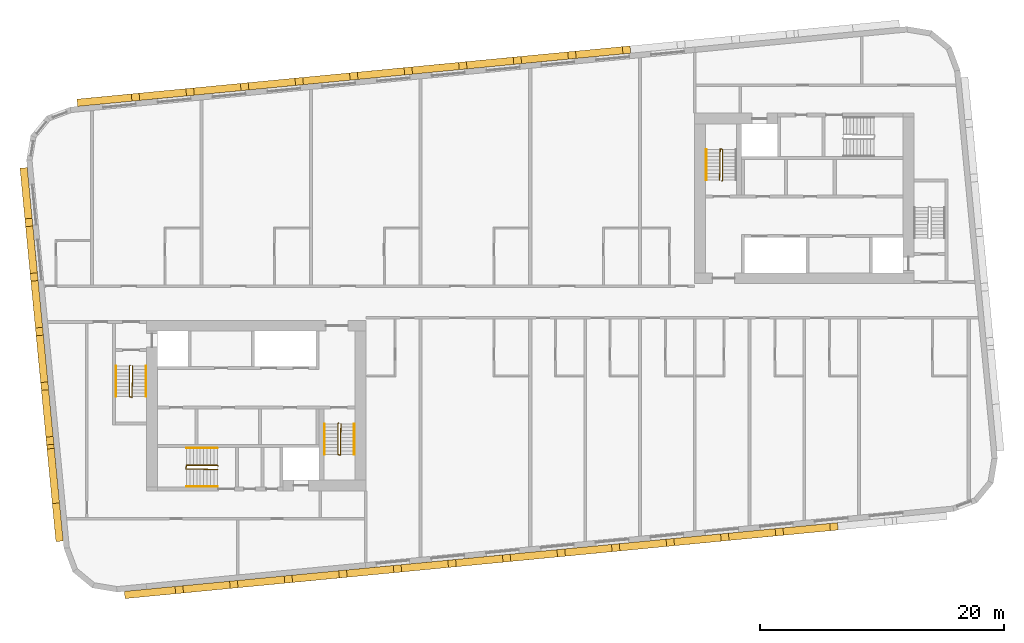
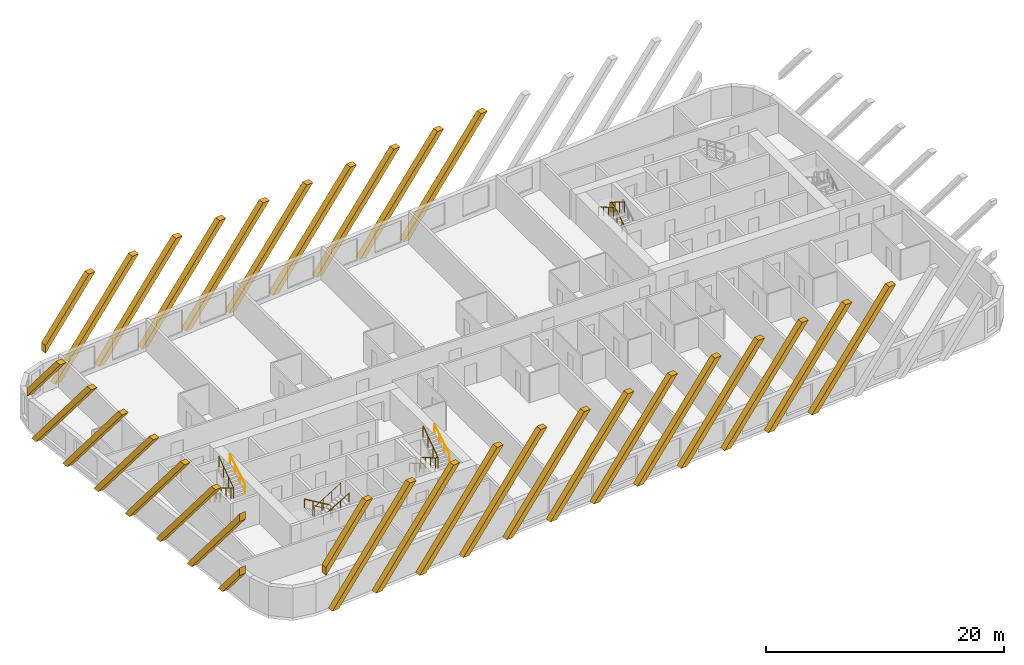
# One storey, part 11 of 12: 31 coverings, 11 railings.
"""IFC4 building model written with IfcOpenShell, lengths in metres."""

import ifcopenshell
import ifcopenshell.guid

model = None  # the IFC model being written
_history = None  # IfcOwnerHistory: only IFC2X3 demands one
_inside = {}  # id of a spatial element -> (the spatial element, [elements in it])
_under = {}  # id of a project, library or spatial element -> (it, [spatial elements below it])
_declared = {}  # id of a project -> (the project, [libraries it declares])
_typed = {}  # id of a type object -> (the type object, [elements of that type])
_made_of = {}  # id of a material, layer set ... -> (it, [elements and type objects made of it])


def new_model(schema):
    """Start an empty IFC model of exactly this schema.

    Asked for "IFC4X3", IfcOpenShell would pick the latest addendum, in which some entities
    have other attributes; the version numbers below select the first issue.
    IFC2X3 requires an IfcOwnerHistory on every rooted entity: one is made here for all.
    """
    global model, _history
    if schema == "IFC4X3":
        model = ifcopenshell.file(schema_version=(4, 3, 0, 0))
    else:
        model = ifcopenshell.file(schema=schema)
    _inside.clear()
    _under.clear()
    _declared.clear()
    _typed.clear()
    _made_of.clear()
    _history = None
    if model.schema == "IFC2X3":
        org = make("IfcOrganization", Name="unknown")
        user = make(
            "IfcPersonAndOrganization",
            ThePerson=make("IfcPerson", FamilyName="unknown"),
            TheOrganization=org,
        )
        app = make(
            "IfcApplication",
            ApplicationDeveloper=org,
            Version="unknown",
            ApplicationFullName="unknown",
            ApplicationIdentifier="unknown",
        )
        _history = make(
            "IfcOwnerHistory",
            OwningUser=user,
            OwningApplication=app,
            ChangeAction="ADDED",
            CreationDate=0,
        )
    return model


def make(cls, **values):
    """One entity of the class cls with the attributes given. An attribute that is None is left unset."""
    return model.create_entity(
        cls, **{name: value for name, value in values.items() if value is not None}
    )


def rooted(cls, **values):
    """An entity with a GlobalId (a new one), such as an element, a storey or a relation."""
    return make(cls, GlobalId=ifcopenshell.guid.new(), OwnerHistory=_history, **values)


def si_unit(unit_type, name, prefix=None):
    """IfcSIUnit, for example si_unit("LENGTHUNIT", "METRE", prefix="MILLI")."""
    return make("IfcSIUnit", UnitType=unit_type, Prefix=prefix, Name=name)


def assignment(units):
    """IfcUnitAssignment: the units of a project."""
    return None if units is None else make("IfcUnitAssignment", Units=units)


def point(xyz):
    """IfcCartesianPoint."""
    return None if xyz is None else make("IfcCartesianPoint", Coordinates=xyz)


def direction(xyz):
    """IfcDirection."""
    return None if xyz is None else make("IfcDirection", DirectionRatios=xyz)


def frame(location, z_axis=None, x_axis=None):
    """IfcAxis2Placement3D, a coordinate frame: its origin and axes. An axis left out is left unset."""
    return make(
        "IfcAxis2Placement3D",
        Location=point(location),
        Axis=direction(z_axis),
        RefDirection=direction(x_axis),
    )


def frame_2d(location, x_axis=None):
    """IfcAxis2Placement2D, a coordinate frame in the plane: its origin and x axis."""
    return make(
        "IfcAxis2Placement2D", Location=point(location), RefDirection=direction(x_axis)
    )


def origin():
    """The frame at (0, 0, 0) with its axes left unset."""
    return frame((0.0, 0.0, 0.0))


def origin_2d():
    """The frame at (0, 0) in the plane with its x axis left unset."""
    return frame_2d((0.0, 0.0))


def place(relative_to, where):
    """IfcLocalPlacement: puts the frame where relative to a parent placement (None: the world)."""
    return make(
        "IfcLocalPlacement", PlacementRelTo=relative_to, RelativePlacement=where
    )


def context(
    kind, dimensions, precision=None, world=None, true_north=None, identifier=None
):
    """IfcGeometricRepresentationContext, for example the 3D "Model" context."""
    return make(
        "IfcGeometricRepresentationContext",
        ContextIdentifier=identifier,
        ContextType=kind,
        CoordinateSpaceDimension=dimensions,
        Precision=precision,
        WorldCoordinateSystem=world,
        TrueNorth=true_north,
    )


def subcontext(parent, identifier, kind, view, scale=None):
    """IfcGeometricRepresentationSubContext, for example "Body" below "Model"."""
    return make(
        "IfcGeometricRepresentationSubContext",
        ContextIdentifier=identifier,
        ContextType=kind,
        ParentContext=parent,
        TargetScale=scale,
        TargetView=view,
    )


def project(units=None, contexts=None):
    """IfcProject with its units and contexts."""
    return rooted(
        "IfcProject",
        Name="project",
        RepresentationContexts=contexts,
        UnitsInContext=assignment(units),
    )


def spatial(cls, under=None, at=None, **own):
    """A site, building, storey or space (cls), placed at a placement, below another one or the project."""
    s = rooted(cls, ObjectPlacement=at, **own)
    if under is not None:
        _under.setdefault(under.id(), (under, []))[1].append(s)
    return s


def polyline(points):
    """IfcPolyline through the points."""
    return make("IfcPolyline", Points=[point(p) for p in points])


def profile(cls, at=None, kind="AREA", **sizes):
    """A parametric profile (cls). Its sizes go by their IFC names, for example OverallWidth=200.0."""
    return make(cls, ProfileType=kind, Position=at, **sizes)


def rectangle(**sizes):
    """IfcRectangleProfileDef."""
    return profile("IfcRectangleProfileDef", **sizes)


def circle(**sizes):
    """IfcCircleProfileDef."""
    return profile("IfcCircleProfileDef", **sizes)


def outline(outer, holes=None, kind="AREA"):
    """IfcArbitraryClosedProfileDef: a profile drawn as a closed curve; with holes, ...WithVoids."""
    if holes is None:
        return make("IfcArbitraryClosedProfileDef", ProfileType=kind, OuterCurve=outer)
    return make(
        "IfcArbitraryProfileDefWithVoids",
        ProfileType=kind,
        OuterCurve=outer,
        InnerCurves=holes,
    )


def extrude(swept, where, along, depth):
    """IfcExtrudedAreaSolid: the profile swept, set in the frame where, extruded along a direction by depth."""
    return make(
        "IfcExtrudedAreaSolid",
        SweptArea=swept,
        Position=where,
        ExtrudedDirection=direction(along),
        Depth=depth,
    )


def shape(context_of_items, identifier, shape_type, items):
    """IfcShapeRepresentation: the items that make up one representation, for example the "Body"."""
    return make(
        "IfcShapeRepresentation",
        ContextOfItems=context_of_items,
        RepresentationIdentifier=identifier,
        RepresentationType=shape_type,
        Items=items,
    )


def material(Name=None, Category=None):
    """IfcMaterial."""
    return make("IfcMaterial", Name=Name, Category=Category)


def material_profile(
    of_material, cross_section, Name=None, Category=None, Priority=None
):
    """IfcMaterialProfile: a cross section and its material."""
    return make(
        "IfcMaterialProfile",
        Name=Name,
        Material=of_material,
        Profile=cross_section,
        Priority=Priority,
        Category=Category,
    )


def profile_set(profiles, Name=None, composite=None):
    """IfcMaterialProfileSet."""
    return make(
        "IfcMaterialProfileSet",
        Name=Name,
        MaterialProfiles=profiles,
        CompositeProfile=composite,
    )


def made_of(thing, what):
    """Note that an element or type object is made of a material, layer set ...; save() writes the relation."""
    if what is not None:
        _made_of.setdefault(what.id(), (what, []))[1].append(thing)
    return thing


def type_object(cls, material=None, **own):
    """A type object (cls), such as IfcWallType, which elements share."""
    return made_of(rooted(cls, **own), material)


def element(
    cls,
    number,
    at=None,
    inside=None,
    cuts=None,
    type_object=None,
    material=None,
    context=None,
    identifier="Body",
    shape_type=None,
    held_by="IfcProductDefinitionShape",
    body=None,
    shapes=None,
    **own,
):
    """One element of the class cls, such as IfcWall. Its Tag is "e" and its number.

    at: its placement. inside: the storey or other place that contains it. cuts: it is an
    opening in that element (IfcRelVoidsElement). A single representation is given by context,
    identifier, shape_type and body (its items); several are given by shapes. held_by: the class
    of the entity that holds the representations. save() writes the other relations.
    """
    e = rooted(cls, Tag="e%d" % number, ObjectPlacement=at, **own)
    if body is not None:
        shapes = [shape(context, identifier, shape_type, body)]
    if shapes is not None:
        e.Representation = make(held_by, Representations=shapes)
    if inside is not None:
        _inside.setdefault(inside.id(), (inside, []))[1].append(e)
    if cuts is not None:
        rooted(
            "IfcRelVoidsElement", RelatingBuildingElement=cuts, RelatedOpeningElement=e
        )
    if type_object is not None:
        _typed.setdefault(type_object.id(), (type_object, []))[1].append(e)
    return made_of(e, material)


def aggregate(whole, parts):
    """IfcRelAggregates: a whole, such as a stair, and the parts it consists of."""
    return rooted("IfcRelAggregates", RelatingObject=whole, RelatedObjects=parts)


def save(model, path):
    """Write the relations noted so far, then the file.

    IfcRelAggregates (storeys below a building ...), IfcRelContainedInSpatialStructure (elements
    in a storey), IfcRelDefinesByType, IfcRelAssociatesMaterial and IfcRelDeclares: one each for
    every whole, place, type object, material and project.
    """
    for whole, parts in _under.values():
        aggregate(whole, parts)
    for where, things in _inside.values():
        rooted(
            "IfcRelContainedInSpatialStructure",
            RelatedElements=things,
            RelatingStructure=where,
        )
    for kind, things in _typed.values():
        rooted("IfcRelDefinesByType", RelatedObjects=things, RelatingType=kind)
    for what, things in _made_of.values():
        rooted("IfcRelAssociatesMaterial", RelatedObjects=things, RelatingMaterial=what)
    for by, libraries in _declared.values():
        rooted("IfcRelDeclares", RelatingContext=by, RelatedDefinitions=libraries)
    model.write(path)


model = new_model("IFC4")

# Units and contexts
model_context = context("Model", 3, precision=1e-05, world=origin(), true_north=direction((0.0, 1.0)))
body_context = subcontext(model_context, "Body", "Model", "MODEL_VIEW")
ifc_project = project(units=[si_unit("LENGTHUNIT", "METRE"), si_unit("AREAUNIT", "SQUARE_METRE"), si_unit("VOLUMEUNIT", "CUBIC_METRE"), si_unit("PLANEANGLEUNIT", "RADIAN"), si_unit("MASSUNIT", "GRAM", prefix="KILO")], contexts=[model_context])

# Site, building, storey
site_placement = place(None, origin())
site = spatial("IfcSite", under=ifc_project, at=site_placement, CompositionType="ELEMENT")
building_placement = place(site_placement, origin())
building = spatial("IfcBuilding", under=site, at=building_placement, Name="Kajstack Hotel Tower", CompositionType="ELEMENT")
storey_placement = place(building_placement, frame((0.0, 0.0, 278.39990234375)))
storey = spatial("IfcBuildingStorey", under=building, at=storey_placement, Name="L69", CompositionType="ELEMENT", Elevation=278.39990234375)

# Coverings
ifc_material_1 = material(Name="Terracotta", Category="masonry")
ifc_material_profile = material_profile(ifc_material_1, rectangle(XDim=0.60009765625, YDim=0.5, at=origin_2d()), Name="Terracotta-clad concrete baguette 500 x 600")
ifc_profile_set = profile_set([ifc_material_profile], Name="Terracotta")
covering_type = type_object("IfcCoveringType", Name="BAGUETTE 500x600", PredefinedType="CLADDING", material=ifc_profile_set)
covering_1_placement = place(storey_placement, frame((-41.298828125, 11.0390625, 0.0), z_axis=(-0.995377661201, -0.096038073607, 0.0), x_axis=(0.096038073607, -0.995377661201, 0.0)))
element("IfcCovering", 1, at=covering_1_placement, inside=storey, type_object=covering_type, Name="Baguette L69-00-001", PredefinedType="CLADDING", context=body_context, shape_type="SweptSolid", body=[
    extrude(outline(polyline([(4.17822265625, 9.89990234375), (0.0, 4.740234375), (0.0, 3.94580078125), (4.82177734375, 9.89990234375), (4.17822265625, 9.89990234375)])), origin(), (0.0, 0.0, 1.0), 0.599853515625),
])
for number, where, z_axis, x_axis, name in (
    (2, (-41.2353515625, 10.380615234375, 0.0), (-0.995416482233, -0.095634862357, 0.0), (0.095634862357, -0.995416482233, 0.0), "Baguette L69-00-005"),
    (3, (-40.80419921875, 5.9013671875, 0.0), (-0.995377661201, -0.096038073607, 0.0), (0.096038073607, -0.995377661201, 0.0), "Baguette L69-00-009"),
    (4, (-40.372802734375, 1.422119140625, 0.0), (-0.995377661201, -0.096038073607, 0.0), (0.096038073607, -0.995377661201, 0.0), "Baguette L69-00-013"),
):
    element("IfcCovering", number, at=place(storey_placement, frame(where, z_axis=z_axis, x_axis=x_axis)), inside=storey, type_object=covering_type, Name=name, PredefinedType="CLADDING", context=body_context, shape_type="SweptSolid", body=[
        extrude(outline(polyline([(8.016845703125, 9.89990234375), (0.0, 0.0), (0.643310546875, 0.0), (8.66015625, 9.89990234375), (8.016845703125, 9.89990234375)])), origin(), (0.0, 0.0, 1.0), 0.599853515625),
    ])
covering_2_placement = place(storey_placement, frame((-39.94140625, -3.05712890625, 0.0), z_axis=(-0.995381412265, -0.095999188106, 0.0), x_axis=(0.095999188106, -0.995381412265, 0.0)))
element("IfcCovering", 5, at=covering_2_placement, inside=storey, type_object=covering_type, Name="Baguette L69-00-017", PredefinedType="CLADDING", context=body_context, shape_type="SweptSolid", body=[
    extrude(outline(polyline([(8.016845703125, 9.89990234375), (0.0, 0.0), (0.643310546875, 0.0), (8.66015625, 9.89990234375), (8.016845703125, 9.89990234375)])), origin(), (0.0, 0.0, 1.0), 0.60009765625),
])
covering_3_placement = place(storey_placement, frame((-39.51025390625, -7.536376953125, 0.0), z_axis=(-0.995377661201, -0.096038073607, 0.0), x_axis=(0.096038073607, -0.995377661201, 0.0)))
element("IfcCovering", 6, at=covering_3_placement, inside=storey, type_object=covering_type, Name="Baguette L69-00-021", PredefinedType="CLADDING", context=body_context, shape_type="SweptSolid", body=[
    extrude(outline(polyline([(8.016845703125, 9.89990234375), (0.0, 0.0), (0.643310546875, 0.0), (8.66015625, 9.89990234375), (8.016845703125, 9.89990234375)])), origin(), (0.0, 0.0, 1.0), 0.599853515625),
])
covering_4_placement = place(storey_placement, frame((-39.078857421875, -12.015869140625, 0.0), z_axis=(-0.995416482233, -0.095634862357, 0.0), x_axis=(0.095634862357, -0.995416482233, 0.0)))
element("IfcCovering", 7, at=covering_4_placement, inside=storey, type_object=covering_type, Name="Baguette L69-00-025", PredefinedType="CLADDING", context=body_context, shape_type="SweptSolid", body=[
    extrude(outline(polyline([(0.643310546875, 0.0), (7.638671875, 8.638427734375), (7.638671875, 9.432861328125), (0.0, 0.0), (0.643310546875, 0.0)])), origin(), (0.0, 0.0, 1.0), 0.599853515625),
])
covering_5_placement = place(storey_placement, frame((-38.6474609375, -16.4951171875, 0.0), z_axis=(-0.995420202011, -0.095596137095, 0.0), x_axis=(0.095596137095, -0.995420202011, 0.0)))
element("IfcCovering", 8, at=covering_5_placement, inside=storey, type_object=covering_type, Name="Baguette L69-00-029", PredefinedType="CLADDING", context=body_context, shape_type="SweptSolid", body=[
    extrude(outline(polyline([(0.643310546875, 0.0), (3.138671875, 3.081298828125), (3.138671875, 3.875732421875), (0.0, 0.0), (0.643310546875, 0.0)])), origin(), (0.0, 0.0, 1.0), 0.60009765625),
])
covering_6_placement = place(storey_placement, frame((-33.3271484375, -23.757080078125, 0.0), z_axis=(0.096038073607, -0.995377661201, 0.0), x_axis=(0.995377661201, 0.096038073607, 0.0)))
element("IfcCovering", 9, at=covering_6_placement, inside=storey, type_object=covering_type, Name="Baguette L69-04-001", PredefinedType="CLADDING", context=body_context, shape_type="SweptSolid", body=[
    extrude(outline(polyline([(4.17822265625, 9.89990234375), (0.0, 4.740234375), (0.0, 3.94580078125), (4.82177734375, 9.89990234375), (4.17822265625, 9.89990234375)])), origin(), (0.0, 0.0, 1.0), 0.599853515625),
])
covering_7_placement = place(storey_placement, frame((-32.668701171875, -23.693603515625, 0.0), z_axis=(0.095999188106, -0.995381412265, 0.0), x_axis=(0.995381412265, 0.095999188106, 0.0)))
element("IfcCovering", 10, at=covering_7_placement, inside=storey, type_object=covering_type, Name="Baguette L69-04-005", PredefinedType="CLADDING", context=body_context, shape_type="SweptSolid", body=[
    extrude(outline(polyline([(8.016845703125, 9.89990234375), (0.0, 0.0), (0.643310546875, 0.0), (8.66015625, 9.89990234375), (8.016845703125, 9.89990234375)])), origin(), (0.0, 0.0, 1.0), 0.60009765625),
])
for number, where, z_axis, x_axis, name in (
    (11, (-28.189453125, -23.262451171875, 0.0), (0.096038073607, -0.995377661201, 0.0), (0.995377661201, 0.096038073607, 0.0), "Baguette L69-04-009"),
    (12, (-23.710205078125, -22.8310546875, 0.0), (0.096038073607, -0.995377661201, 0.0), (0.995377661201, 0.096038073607, 0.0), "Baguette L69-04-013"),
):
    element("IfcCovering", number, at=place(storey_placement, frame(where, z_axis=z_axis, x_axis=x_axis)), inside=storey, type_object=covering_type, Name=name, PredefinedType="CLADDING", context=body_context, shape_type="SweptSolid", body=[
        extrude(outline(polyline([(8.016845703125, 9.89990234375), (0.0, 0.0), (0.643310546875, 0.0), (8.66015625, 9.89990234375), (8.016845703125, 9.89990234375)])), origin(), (0.0, 0.0, 1.0), 0.599853515625),
    ])
covering_8_placement = place(storey_placement, frame((-19.230712890625, -22.399658203125, 0.0), z_axis=(0.095596137095, -0.995420202011, 0.0), x_axis=(0.995420202011, 0.095596137095, 0.0)))
element("IfcCovering", 13, at=covering_8_placement, inside=storey, type_object=covering_type, Name="Baguette L69-04-017", PredefinedType="CLADDING", context=body_context, shape_type="SweptSolid", body=[
    extrude(outline(polyline([(8.016845703125, 9.89990234375), (0.0, 0.0), (0.643310546875, 0.0), (8.66015625, 9.89990234375), (8.016845703125, 9.89990234375)])), origin(), (0.0, 0.0, 1.0), 0.60009765625),
])
for number, where, z_axis, x_axis, name in (
    (14, (-14.75146484375, -21.968505859375, 0.0), (0.095634862357, -0.995416482233, 0.0), (0.995416482233, 0.095634862357, 0.0), "Baguette L69-04-021"),
    (15, (-10.272216796875, -21.537109375, 0.0), (0.095634862357, -0.995416482233, 0.0), (0.995416482233, 0.095634862357, 0.0), "Baguette L69-04-025"),
    (16, (-5.79296875, -21.10595703125, 0.0), (0.096038073607, -0.995377661201, 0.0), (0.995377661201, 0.096038073607, 0.0), "Baguette L69-04-029"),
    (17, (-1.313720703125, -20.674560546875, 0.0), (0.096038073607, -0.995377661201, 0.0), (0.995377661201, 0.096038073607, 0.0), "Baguette L69-04-033"),
):
    element("IfcCovering", number, at=place(storey_placement, frame(where, z_axis=z_axis, x_axis=x_axis)), inside=storey, type_object=covering_type, Name=name, PredefinedType="CLADDING", context=body_context, shape_type="SweptSolid", body=[
        extrude(outline(polyline([(8.016845703125, 9.89990234375), (0.0, 0.0), (0.643310546875, 0.0), (8.66015625, 9.89990234375), (8.016845703125, 9.89990234375)])), origin(), (0.0, 0.0, 1.0), 0.599853515625),
    ])
covering_9_placement = place(storey_placement, frame((3.16552734375, -20.2431640625, 0.0), z_axis=(0.095999188106, -0.995381412265, 0.0), x_axis=(0.995381412265, 0.095999188106, 0.0)))
element("IfcCovering", 18, at=covering_9_placement, inside=storey, type_object=covering_type, Name="Baguette L69-04-037", PredefinedType="CLADDING", context=body_context, shape_type="SweptSolid", body=[
    extrude(outline(polyline([(8.016845703125, 9.89990234375), (0.0, 0.0), (0.643310546875, 0.0), (8.66015625, 9.89990234375), (8.016845703125, 9.89990234375)])), origin(), (0.0, 0.0, 1.0), 0.60009765625),
])
for number, where, z_axis, x_axis, name in (
    (19, (7.644775390625, -19.81201171875, 0.0), (0.096038073607, -0.995377661201, 0.0), (0.995377661201, 0.096038073607, 0.0), "Baguette L69-04-041"),
    (20, (12.1240234375, -19.380615234375, 0.0), (0.096038073607, -0.995377661201, 0.0), (0.995377661201, 0.096038073607, 0.0), "Baguette L69-04-045"),
):
    element("IfcCovering", number, at=place(storey_placement, frame(where, z_axis=z_axis, x_axis=x_axis)), inside=storey, type_object=covering_type, Name=name, PredefinedType="CLADDING", context=body_context, shape_type="SweptSolid", body=[
        extrude(outline(polyline([(8.016845703125, 9.89990234375), (0.0, 0.0), (0.643310546875, 0.0), (8.66015625, 9.89990234375), (8.016845703125, 9.89990234375)])), origin(), (0.0, 0.0, 1.0), 0.599853515625),
    ])
covering_10_placement = place(storey_placement, frame((16.603515625, -18.94921875, 0.0), z_axis=(0.095596137095, -0.995420202011, 0.0), x_axis=(0.995420202011, 0.095596137095, 0.0)))
element("IfcCovering", 21, at=covering_10_placement, inside=storey, type_object=covering_type, Name="Baguette L69-04-049", PredefinedType="CLADDING", context=body_context, shape_type="SweptSolid", body=[
    extrude(outline(polyline([(8.016845703125, 9.89990234375), (0.0, 0.0), (0.643310546875, 0.0), (8.66015625, 9.89990234375), (8.016845703125, 9.89990234375)])), origin(), (0.0, 0.0, 1.0), 0.60009765625),
])
covering_11_placement = place(storey_placement, frame((8.2509765625, 20.431396484375, 0.0), z_axis=(-0.096038073607, 0.995377661201, 0.0), x_axis=(-0.995377661201, -0.096038073607, 0.0)))
element("IfcCovering", 22, at=covering_11_placement, inside=storey, type_object=covering_type, Name="Baguette L69-12-025", PredefinedType="CLADDING", context=body_context, shape_type="SweptSolid", body=[
    extrude(outline(polyline([(0.0, 9.89990234375), (8.016845703125, 0.0), (8.66015625, 0.0), (0.643310546875, 9.89990234375), (0.0, 9.89990234375)])), origin(), (0.0, 0.0, 1.0), 0.599853515625),
])
covering_12_placement = place(storey_placement, frame((3.771484375, 20.0, 0.0), z_axis=(-0.095596137095, 0.995420202011, 0.0), x_axis=(-0.995420202011, -0.095596137095, 0.0)))
element("IfcCovering", 23, at=covering_12_placement, inside=storey, type_object=covering_type, Name="Baguette L69-12-029", PredefinedType="CLADDING", context=body_context, shape_type="SweptSolid", body=[
    extrude(outline(polyline([(0.0, 9.89990234375), (8.016845703125, 0.0), (8.66015625, 0.0), (0.643310546875, 9.89990234375), (0.0, 9.89990234375)])), origin(), (0.0, 0.0, 1.0), 0.60009765625),
])
for number, where, z_axis, x_axis, name in (
    (24, (-0.707763671875, 19.56884765625, 0.0), (-0.095634862357, 0.995416482233, 0.0), (-0.995416482233, -0.095634862357, 0.0), "Baguette L69-12-033"),
    (25, (-5.18701171875, 19.137451171875, 0.0), (-0.095634862357, 0.995416482233, 0.0), (-0.995416482233, -0.095634862357, 0.0), "Baguette L69-12-037"),
):
    element("IfcCovering", number, at=place(storey_placement, frame(where, z_axis=z_axis, x_axis=x_axis)), inside=storey, type_object=covering_type, Name=name, PredefinedType="CLADDING", context=body_context, shape_type="SweptSolid", body=[
        extrude(outline(polyline([(0.0, 9.89990234375), (8.016845703125, 0.0), (8.66015625, 0.0), (0.643310546875, 9.89990234375), (0.0, 9.89990234375)])), origin(), (0.0, 0.0, 1.0), 0.599853515625),
    ])
covering_13_placement = place(storey_placement, frame((-9.666259765625, 18.7060546875, 0.0), z_axis=(-0.095999188106, 0.995381412265, 0.0), x_axis=(-0.995381412265, -0.095999188106, 0.0)))
element("IfcCovering", 26, at=covering_13_placement, inside=storey, type_object=covering_type, Name="Baguette L69-12-041", PredefinedType="CLADDING", context=body_context, shape_type="SweptSolid", body=[
    extrude(outline(polyline([(0.0, 9.89990234375), (8.016845703125, 0.0), (8.66015625, 0.0), (0.643310546875, 9.89990234375), (0.0, 9.89990234375)])), origin(), (0.0, 0.0, 1.0), 0.60009765625),
])
for number, where, z_axis, x_axis, name in (
    (27, (-14.1455078125, 18.27490234375, 0.0), (-0.096038073607, 0.995377661201, 0.0), (-0.995377661201, -0.096038073607, 0.0), "Baguette L69-12-045"),
    (28, (-18.624755859375, 17.843505859375, 0.0), (-0.096038073607, 0.995377661201, 0.0), (-0.995377661201, -0.096038073607, 0.0), "Baguette L69-12-049"),
):
    element("IfcCovering", number, at=place(storey_placement, frame(where, z_axis=z_axis, x_axis=x_axis)), inside=storey, type_object=covering_type, Name=name, PredefinedType="CLADDING", context=body_context, shape_type="SweptSolid", body=[
        extrude(outline(polyline([(0.0, 9.89990234375), (8.016845703125, 0.0), (8.66015625, 0.0), (0.643310546875, 9.89990234375), (0.0, 9.89990234375)])), origin(), (0.0, 0.0, 1.0), 0.599853515625),
    ])
covering_14_placement = place(storey_placement, frame((-23.10400390625, 17.412109375, 0.0), z_axis=(-0.095999188106, 0.995381412265, 0.0), x_axis=(-0.995381412265, -0.095999188106, 0.0)))
element("IfcCovering", 29, at=covering_14_placement, inside=storey, type_object=covering_type, Name="Baguette L69-12-053", PredefinedType="CLADDING", context=body_context, shape_type="SweptSolid", body=[
    extrude(outline(polyline([(0.0, 9.89990234375), (8.016845703125, 0.0), (8.66015625, 0.0), (0.643310546875, 9.89990234375), (0.0, 9.89990234375)])), origin(), (0.0, 0.0, 1.0), 0.60009765625),
])
covering_15_placement = place(storey_placement, frame((-27.58349609375, 16.98095703125, 0.0), z_axis=(-0.095634862357, 0.995416482233, 0.0), x_axis=(-0.995416482233, -0.095634862357, 0.0)))
element("IfcCovering", 30, at=covering_15_placement, inside=storey, type_object=covering_type, Name="Baguette L69-12-057", PredefinedType="CLADDING", context=body_context, shape_type="SweptSolid", body=[
    extrude(outline(polyline([(0.0, 9.89990234375), (8.016845703125, 0.0), (8.66015625, 0.0), (0.643310546875, 9.89990234375), (0.0, 9.89990234375)])), origin(), (0.0, 0.0, 1.0), 0.599853515625),
])
covering_16_placement = place(storey_placement, frame((-32.062744140625, 16.549560546875, 0.0), z_axis=(-0.095634862357, 0.995416482233, 0.0), x_axis=(-0.995416482233, -0.095634862357, 0.0)))
element("IfcCovering", 31, at=covering_16_placement, inside=storey, type_object=covering_type, Name="Baguette L69-12-061", PredefinedType="CLADDING", context=body_context, shape_type="SweptSolid", body=[
    extrude(outline(polyline([(0.0, 9.89990234375), (5.121826171875, 3.5751953125), (5.121826171875, 4.36962890625), (0.643310546875, 9.89990234375), (0.0, 9.89990234375)])), origin(), (0.0, 0.0, 1.0), 0.599853515625),
])

# Railings
ifc_material_2 = material(Name="Steel S355J2", Category="steel")
railing_type_1 = type_object("IfcRailingType", Name="Stair guard 1100", PredefinedType="GUARDRAIL", material=ifc_material_2)
railing_1_placement = place(storey_placement, frame((-32.85009765625, -5.199951171875, 0.0)))
element("IfcRailing", 32, at=railing_1_placement, inside=storey, type_object=railing_type_1, Name="L69 W1 stair guard 1", PredefinedType="GUARDRAIL", context=body_context, shape_type="SweptSolid", body=[
    extrude(circle(Radius=0.02392578125, at=origin_2d()), frame((0.0, 0.0, 1.076171875), z_axis=(-0.277450376394, -0.278810427259, 0.919394384522), x_axis=(0.708833529934, -0.705375805398, 0.0)), (0.0, 0.0, 1.0), 0.179443359375),
    extrude(circle(Radius=0.02392578125, at=origin_2d()), frame((-0.0498046875, -0.050048828125, 1.2412109375), z_axis=(0.0, -0.86152411907, 0.507716645641), x_axis=(1.0, 0.0, 0.0)), (0.0, 0.0, 1.0), 2.925048828125),
    extrude(circle(Radius=0.02392578125, at=origin_2d()), frame((-0.0498046875, -2.570068359375, 2.72607421875), z_axis=(0.970072785993, -0.242814311512, 0.0), x_axis=(0.242814311512, 0.970072785993, 0.0)), (0.0, 0.0, 1.0), 0.2060546875),
    extrude(circle(Radius=0.02392578125, at=origin_2d()), frame((0.150146484375, -2.6201171875, 2.72607421875), z_axis=(0.016385308676, 0.841405582595, 0.540155687962), x_axis=(-0.999810440751, 0.019470042781, 0.0)), (0.0, 0.0, 1.0), 3.054443359375),
    extrude(circle(Radius=0.02099609375, at=origin_2d()), origin(), (0.0, 0.0, 1.0), 1.052001953125),
    extrude(circle(Radius=0.02099609375, at=origin_2d()), frame((-0.0498046875, -0.050048828125, 0.1650390625)), (0.0, 0.0, 1.0), 1.052001953125),
    extrude(circle(Radius=0.02099609375, at=origin_2d()), frame((-0.0498046875, -0.89013671875, 0.66015625)), (0.0, 0.0, 1.0), 1.052001953125),
    extrude(circle(Radius=0.02099609375, at=origin_2d()), frame((-0.0498046875, -1.72998046875, 1.155029296875)), (0.0, 0.0, 1.0), 1.052001953125),
    extrude(circle(Radius=0.02099609375, at=origin_2d()), frame((-0.0498046875, -2.570068359375, 1.650146484375)), (0.0, 0.0, 1.0), 1.052001953125),
    extrude(circle(Radius=0.02099609375, at=origin_2d()), frame((0.150146484375, -2.6201171875, 1.650146484375)), (0.0, 0.0, 1.0), 1.052001953125),
    extrude(circle(Radius=0.02099609375, at=origin_2d()), frame((0.166748046875, -1.763427734375, 2.2001953125)), (0.0, 0.0, 1.0), 1.052001953125),
    extrude(circle(Radius=0.02099609375, at=origin_2d()), frame((0.18359375, -0.90673828125, 2.75)), (0.0, 0.0, 1.0), 1.052001953125),
    extrude(circle(Radius=0.02099609375, at=origin_2d()), frame((0.2001953125, -0.050048828125, 3.300048828125)), (0.0, 0.0, 1.0), 1.052001953125),
])
railing_2_placement = place(storey_placement, frame((-15.75, -9.949951171875, 0.0)))
element("IfcRailing", 33, at=railing_2_placement, inside=storey, type_object=railing_type_1, Name="L69 W2 stair guard 1", PredefinedType="GUARDRAIL", context=body_context, shape_type="SweptSolid", body=[
    extrude(circle(Radius=0.02392578125, at=origin_2d()), frame((0.0, 0.0, 1.076171875), z_axis=(-0.278705021027, -0.278705021027, 0.919046801044), x_axis=(0.707106781187, -0.707106781187, 0.0)), (0.0, 0.0, 1.0), 0.1796875),
    extrude(circle(Radius=0.02392578125, at=origin_2d()), frame((-0.050048828125, -0.050048828125, 1.2412109375), z_axis=(0.0, -0.86152411907, 0.507716645641), x_axis=(1.0, 0.0, 0.0)), (0.0, 0.0, 1.0), 2.925048828125),
    extrude(circle(Radius=0.02392578125, at=origin_2d()), frame((-0.050048828125, -2.570068359375, 2.72607421875), z_axis=(0.970072785993, -0.242814311512, 0.0), x_axis=(0.242814311512, 0.970072785993, 0.0)), (0.0, 0.0, 1.0), 0.2060546875),
    extrude(circle(Radius=0.02392578125, at=origin_2d()), frame((0.14990234375, -2.6201171875, 2.72607421875), z_axis=(0.016385308676, 0.841405582595, 0.540155687962), x_axis=(-0.999810440751, 0.019470042781, 0.0)), (0.0, 0.0, 1.0), 3.054443359375),
    extrude(circle(Radius=0.02099609375, at=origin_2d()), origin(), (0.0, 0.0, 1.0), 1.052001953125),
    extrude(circle(Radius=0.02099609375, at=origin_2d()), frame((-0.050048828125, -0.050048828125, 0.1650390625)), (0.0, 0.0, 1.0), 1.052001953125),
    extrude(circle(Radius=0.02099609375, at=origin_2d()), frame((-0.050048828125, -0.89013671875, 0.66015625)), (0.0, 0.0, 1.0), 1.052001953125),
    extrude(circle(Radius=0.02099609375, at=origin_2d()), frame((-0.050048828125, -1.72998046875, 1.155029296875)), (0.0, 0.0, 1.0), 1.052001953125),
    extrude(circle(Radius=0.02099609375, at=origin_2d()), frame((-0.050048828125, -2.570068359375, 1.650146484375)), (0.0, 0.0, 1.0), 1.052001953125),
    extrude(circle(Radius=0.02099609375, at=origin_2d()), frame((0.14990234375, -2.6201171875, 1.650146484375)), (0.0, 0.0, 1.0), 1.052001953125),
    extrude(circle(Radius=0.02099609375, at=origin_2d()), frame((0.16650390625, -1.763427734375, 2.2001953125)), (0.0, 0.0, 1.0), 1.052001953125),
    extrude(circle(Radius=0.02099609375, at=origin_2d()), frame((0.183349609375, -0.90673828125, 2.75)), (0.0, 0.0, 1.0), 1.052001953125),
    extrude(circle(Radius=0.02099609375, at=origin_2d()), frame((0.199951171875, -0.050048828125, 3.300048828125)), (0.0, 0.0, 1.0), 1.052001953125),
])
railing_3_placement = place(storey_placement, frame((-25.64990234375, -13.449951171875, 0.0)))
element("IfcRailing", 34, at=railing_3_placement, inside=storey, type_object=railing_type_1, Name="L69 W3 stair guard 1", PredefinedType="GUARDRAIL", context=body_context, shape_type="SweptSolid", body=[
    extrude(circle(Radius=0.02392578125, at=origin_2d()), frame((0.0, 0.0, 1.076171875), z_axis=(-0.278705021027, 0.278705021027, 0.919046801044), x_axis=(-0.707106781187, -0.707106781187, 0.0)), (0.0, 0.0, 1.0), 0.1796875),
    extrude(circle(Radius=0.02392578125, at=origin_2d()), frame((-0.050048828125, 0.050048828125, 1.2412109375), z_axis=(-0.86152411907, 0.0, 0.507716645641), x_axis=(0.0, -1.0, 0.0)), (0.0, 0.0, 1.0), 2.925048828125),
    extrude(circle(Radius=0.02392578125, at=origin_2d()), frame((-2.570068359375, 0.050048828125, 2.72607421875), z_axis=(-0.164529134168, -0.986372223864, 0.0), x_axis=(0.986372223864, -0.164529134168, 0.0)), (0.0, 0.0, 1.0), 0.30419921875),
    extrude(circle(Radius=0.02392578125, at=origin_2d()), frame((-2.6201171875, -0.25, 2.72607421875), z_axis=(0.841405582595, -0.016385308676, 0.540155687962), x_axis=(0.019470042781, 0.999810440751, 0.0)), (0.0, 0.0, 1.0), 3.054443359375),
    extrude(circle(Radius=0.02099609375, at=origin_2d()), origin(), (0.0, 0.0, 1.0), 1.052001953125),
    extrude(circle(Radius=0.02099609375, at=origin_2d()), frame((-0.050048828125, 0.050048828125, 0.1650390625)), (0.0, 0.0, 1.0), 1.052001953125),
    extrude(circle(Radius=0.02099609375, at=origin_2d()), frame((-0.89013671875, 0.050048828125, 0.66015625)), (0.0, 0.0, 1.0), 1.052001953125),
    extrude(circle(Radius=0.02099609375, at=origin_2d()), frame((-1.72998046875, 0.050048828125, 1.155029296875)), (0.0, 0.0, 1.0), 1.052001953125),
    extrude(circle(Radius=0.02099609375, at=origin_2d()), frame((-2.570068359375, 0.050048828125, 1.650146484375)), (0.0, 0.0, 1.0), 1.052001953125),
    extrude(circle(Radius=0.02099609375, at=origin_2d()), frame((-2.6201171875, -0.25, 1.650146484375)), (0.0, 0.0, 1.0), 1.052001953125),
    extrude(circle(Radius=0.02099609375, at=origin_2d()), frame((-1.763427734375, -0.2666015625, 2.2001953125)), (0.0, 0.0, 1.0), 1.052001953125),
    extrude(circle(Radius=0.02099609375, at=origin_2d()), frame((-0.90673828125, -0.283447265625, 2.75)), (0.0, 0.0, 1.0), 1.052001953125),
    extrude(circle(Radius=0.02099609375, at=origin_2d()), frame((-0.050048828125, -0.300048828125, 3.300048828125)), (0.0, 0.0, 1.0), 1.052001953125),
])
railing_4_placement = place(storey_placement, frame((15.75, 9.949951171875, 0.0)))
element("IfcRailing", 35, at=railing_4_placement, inside=storey, type_object=railing_type_1, Name="L69 E2 stair guard 1", PredefinedType="GUARDRAIL", context=body_context, shape_type="SweptSolid", body=[
    extrude(circle(Radius=0.02392578125, at=origin_2d()), frame((0.0, 0.0, 1.076171875), z_axis=(0.278705021027, 0.278705021027, 0.919046801044), x_axis=(-0.707106781187, 0.707106781187, 0.0)), (0.0, 0.0, 1.0), 0.1796875),
    extrude(circle(Radius=0.02392578125, at=origin_2d()), frame((0.050048828125, 0.050048828125, 1.2412109375), z_axis=(0.0, 0.86152411907, 0.507716645641), x_axis=(-1.0, 0.0, 0.0)), (0.0, 0.0, 1.0), 2.925048828125),
    extrude(circle(Radius=0.02392578125, at=origin_2d()), frame((0.050048828125, 2.570068359375, 2.72607421875), z_axis=(-0.970072785993, 0.242814311512, 0.0), x_axis=(-0.242814311512, -0.970072785993, 0.0)), (0.0, 0.0, 1.0), 0.2060546875),
    extrude(circle(Radius=0.02392578125, at=origin_2d()), frame((-0.14990234375, 2.6201171875, 2.72607421875), z_axis=(-0.016385308676, -0.841405582595, 0.540155687962), x_axis=(0.999810440751, -0.019470042781, 0.0)), (0.0, 0.0, 1.0), 3.054443359375),
    extrude(circle(Radius=0.02099609375, at=origin_2d()), origin(), (0.0, 0.0, 1.0), 1.052001953125),
    extrude(circle(Radius=0.02099609375, at=origin_2d()), frame((0.050048828125, 0.050048828125, 0.1650390625)), (0.0, 0.0, 1.0), 1.052001953125),
    extrude(circle(Radius=0.02099609375, at=origin_2d()), frame((0.050048828125, 0.89013671875, 0.66015625)), (0.0, 0.0, 1.0), 1.052001953125),
    extrude(circle(Radius=0.02099609375, at=origin_2d()), frame((0.050048828125, 1.72998046875, 1.155029296875)), (0.0, 0.0, 1.0), 1.052001953125),
    extrude(circle(Radius=0.02099609375, at=origin_2d()), frame((0.050048828125, 2.570068359375, 1.650146484375)), (0.0, 0.0, 1.0), 1.052001953125),
    extrude(circle(Radius=0.02099609375, at=origin_2d()), frame((-0.14990234375, 2.6201171875, 1.650146484375)), (0.0, 0.0, 1.0), 1.052001953125),
    extrude(circle(Radius=0.02099609375, at=origin_2d()), frame((-0.16650390625, 1.763427734375, 2.2001953125)), (0.0, 0.0, 1.0), 1.052001953125),
    extrude(circle(Radius=0.02099609375, at=origin_2d()), frame((-0.183349609375, 0.90673828125, 2.75)), (0.0, 0.0, 1.0), 1.052001953125),
    extrude(circle(Radius=0.02099609375, at=origin_2d()), frame((-0.199951171875, 0.050048828125, 3.300048828125)), (0.0, 0.0, 1.0), 1.052001953125),
])
railing_type_2 = type_object("IfcRailingType", Name="Stair handrail 900", PredefinedType="HANDRAIL", material=ifc_material_2)
railing_5_placement = place(storey_placement, frame((-34.0, -5.25, 0.1650390625)))
element("IfcRailing", 36, at=railing_5_placement, inside=storey, type_object=railing_type_2, Name="L69 W1 stair handrail 1", PredefinedType="HANDRAIL", context=body_context, shape_type="SweptSolid", body=[
    extrude(circle(Radius=0.02392578125, at=origin_2d()), frame((0.0, 0.0, 0.8759765625), z_axis=(0.0, -0.86152411907, 0.507716645641), x_axis=(1.0, 0.0, 0.0)), (0.0, 0.0, 1.0), 2.925048828125),
    extrude(circle(Radius=0.02099609375, at=origin_2d()), origin(), (0.0, 0.0, 1.0), 0.851806640625),
    extrude(circle(Radius=0.02099609375, at=origin_2d()), frame((0.0, -0.840087890625, 0.4951171875)), (0.0, 0.0, 1.0), 0.851806640625),
    extrude(circle(Radius=0.02099609375, at=origin_2d()), frame((0.0, -1.679931640625, 0.989990234375)), (0.0, 0.0, 1.0), 0.851806640625),
    extrude(circle(Radius=0.02099609375, at=origin_2d()), frame((0.0, -2.52001953125, 1.485107421875)), (0.0, 0.0, 1.0), 0.851806640625),
])
railing_6_placement = place(storey_placement, frame((-31.550048828125, -7.77001953125, 1.815185546875)))
element("IfcRailing", 37, at=railing_6_placement, inside=storey, type_object=railing_type_2, Name="L69 W1 stair handrail 2", PredefinedType="HANDRAIL", context=body_context, shape_type="SweptSolid", body=[
    extrude(circle(Radius=0.02392578125, at=origin_2d()), frame((0.0, 0.0, 0.8759765625), z_axis=(0.0, 0.861560626758, 0.507654692109), x_axis=(-1.0, 0.0, 0.0)), (0.0, 0.0, 1.0), 2.925048828125),
    extrude(circle(Radius=0.02099609375, at=origin_2d()), origin(), (0.0, 0.0, 1.0), 0.851806640625),
    extrude(circle(Radius=0.02099609375, at=origin_2d()), frame((0.0, 0.840087890625, 0.494873046875)), (0.0, 0.0, 1.0), 0.851806640625),
    extrude(circle(Radius=0.02099609375, at=origin_2d()), frame((0.0, 1.679931640625, 0.989990234375)), (0.0, 0.0, 1.0), 0.851806640625),
    extrude(circle(Radius=0.02099609375, at=origin_2d()), frame((0.0, 2.52001953125, 1.48486328125)), (0.0, 0.0, 1.0), 0.851806640625),
])
railing_7_placement = place(storey_placement, frame((-16.89990234375, -10.0, 0.1650390625)))
element("IfcRailing", 38, at=railing_7_placement, inside=storey, type_object=railing_type_2, Name="L69 W2 stair handrail 1", PredefinedType="HANDRAIL", context=body_context, shape_type="SweptSolid", body=[
    extrude(circle(Radius=0.02392578125, at=origin_2d()), frame((0.0, 0.0, 0.8759765625), z_axis=(0.0, -0.86152411907, 0.507716645641), x_axis=(1.0, 0.0, 0.0)), (0.0, 0.0, 1.0), 2.925048828125),
    extrude(circle(Radius=0.02099609375, at=origin_2d()), origin(), (0.0, 0.0, 1.0), 0.851806640625),
    extrude(circle(Radius=0.02099609375, at=origin_2d()), frame((0.0, -0.840087890625, 0.4951171875)), (0.0, 0.0, 1.0), 0.851806640625),
    extrude(circle(Radius=0.02099609375, at=origin_2d()), frame((0.0, -1.679931640625, 0.989990234375)), (0.0, 0.0, 1.0), 0.851806640625),
    extrude(circle(Radius=0.02099609375, at=origin_2d()), frame((0.0, -2.52001953125, 1.485107421875)), (0.0, 0.0, 1.0), 0.851806640625),
])
railing_8_placement = place(storey_placement, frame((-14.449951171875, -12.52001953125, 1.815185546875)))
element("IfcRailing", 39, at=railing_8_placement, inside=storey, type_object=railing_type_2, Name="L69 W2 stair handrail 2", PredefinedType="HANDRAIL", context=body_context, shape_type="SweptSolid", body=[
    extrude(circle(Radius=0.02392578125, at=origin_2d()), frame((0.0, 0.0, 0.8759765625), z_axis=(0.0, 0.861560626758, 0.507654692109), x_axis=(-1.0, 0.0, 0.0)), (0.0, 0.0, 1.0), 2.925048828125),
    extrude(circle(Radius=0.02099609375, at=origin_2d()), origin(), (0.0, 0.0, 1.0), 0.851806640625),
    extrude(circle(Radius=0.02099609375, at=origin_2d()), frame((0.0, 0.840087890625, 0.494873046875)), (0.0, 0.0, 1.0), 0.851806640625),
    extrude(circle(Radius=0.02099609375, at=origin_2d()), frame((0.0, 1.679931640625, 0.989990234375)), (0.0, 0.0, 1.0), 0.851806640625),
    extrude(circle(Radius=0.02099609375, at=origin_2d()), frame((0.0, 2.52001953125, 1.48486328125)), (0.0, 0.0, 1.0), 0.851806640625),
])
railing_9_placement = place(storey_placement, frame((-25.699951171875, -12.0, 0.1650390625)))
element("IfcRailing", 40, at=railing_9_placement, inside=storey, type_object=railing_type_2, Name="L69 W3 stair handrail 1", PredefinedType="HANDRAIL", context=body_context, shape_type="SweptSolid", body=[
    extrude(circle(Radius=0.02392578125, at=origin_2d()), frame((0.0, 0.0, 0.8759765625), z_axis=(-0.86152411907, 0.0, 0.507716645641), x_axis=(0.0, -1.0, 0.0)), (0.0, 0.0, 1.0), 2.925048828125),
    extrude(circle(Radius=0.02099609375, at=origin_2d()), origin(), (0.0, 0.0, 1.0), 0.851806640625),
    extrude(circle(Radius=0.02099609375, at=origin_2d()), frame((-0.840087890625, 0.0, 0.4951171875)), (0.0, 0.0, 1.0), 0.851806640625),
    extrude(circle(Radius=0.02099609375, at=origin_2d()), frame((-1.679931640625, 0.0, 0.989990234375)), (0.0, 0.0, 1.0), 0.851806640625),
    extrude(circle(Radius=0.02099609375, at=origin_2d()), frame((-2.52001953125, 0.0, 1.485107421875)), (0.0, 0.0, 1.0), 0.851806640625),
])
railing_10_placement = place(storey_placement, frame((-28.219970703125, -15.14990234375, 1.815185546875)))
element("IfcRailing", 41, at=railing_10_placement, inside=storey, type_object=railing_type_2, Name="L69 W3 stair handrail 2", PredefinedType="HANDRAIL", context=body_context, shape_type="SweptSolid", body=[
    extrude(circle(Radius=0.02392578125, at=origin_2d()), frame((0.0, 0.0, 0.8759765625), z_axis=(0.861560626758, 0.0, 0.507654692109), x_axis=(0.0, 1.0, 0.0)), (0.0, 0.0, 1.0), 2.925048828125),
    extrude(circle(Radius=0.02099609375, at=origin_2d()), origin(), (0.0, 0.0, 1.0), 0.851806640625),
    extrude(circle(Radius=0.02099609375, at=origin_2d()), frame((0.840087890625, 0.0, 0.494873046875)), (0.0, 0.0, 1.0), 0.851806640625),
    extrude(circle(Radius=0.02099609375, at=origin_2d()), frame((1.679931640625, 0.0, 0.989990234375)), (0.0, 0.0, 1.0), 0.851806640625),
    extrude(circle(Radius=0.02099609375, at=origin_2d()), frame((2.52001953125, 0.0, 1.48486328125)), (0.0, 0.0, 1.0), 0.851806640625),
])
railing_11_placement = place(storey_placement, frame((14.449951171875, 12.52001953125, 1.815185546875)))
element("IfcRailing", 42, at=railing_11_placement, inside=storey, type_object=railing_type_2, Name="L69 E2 stair handrail 2", PredefinedType="HANDRAIL", context=body_context, shape_type="SweptSolid", body=[
    extrude(circle(Radius=0.02392578125, at=origin_2d()), frame((0.0, 0.0, 0.8759765625), z_axis=(0.0, -0.861560626758, 0.507654692109), x_axis=(1.0, 0.0, 0.0)), (0.0, 0.0, 1.0), 2.925048828125),
    extrude(circle(Radius=0.02099609375, at=origin_2d()), origin(), (0.0, 0.0, 1.0), 0.851806640625),
    extrude(circle(Radius=0.02099609375, at=origin_2d()), frame((0.0, -0.840087890625, 0.494873046875)), (0.0, 0.0, 1.0), 0.851806640625),
    extrude(circle(Radius=0.02099609375, at=origin_2d()), frame((0.0, -1.679931640625, 0.989990234375)), (0.0, 0.0, 1.0), 0.851806640625),
    extrude(circle(Radius=0.02099609375, at=origin_2d()), frame((0.0, -2.52001953125, 1.48486328125)), (0.0, 0.0, 1.0), 0.851806640625),
])

save(model, "model.ifc")
